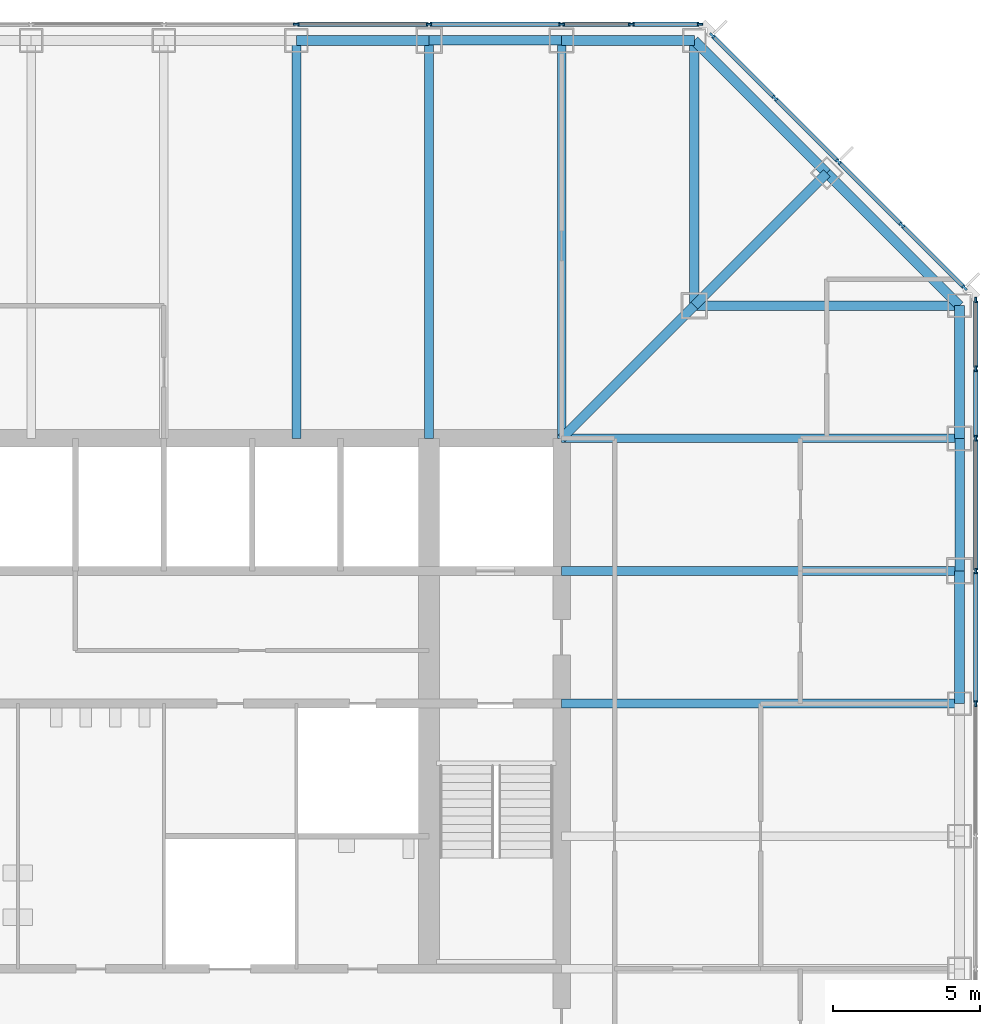
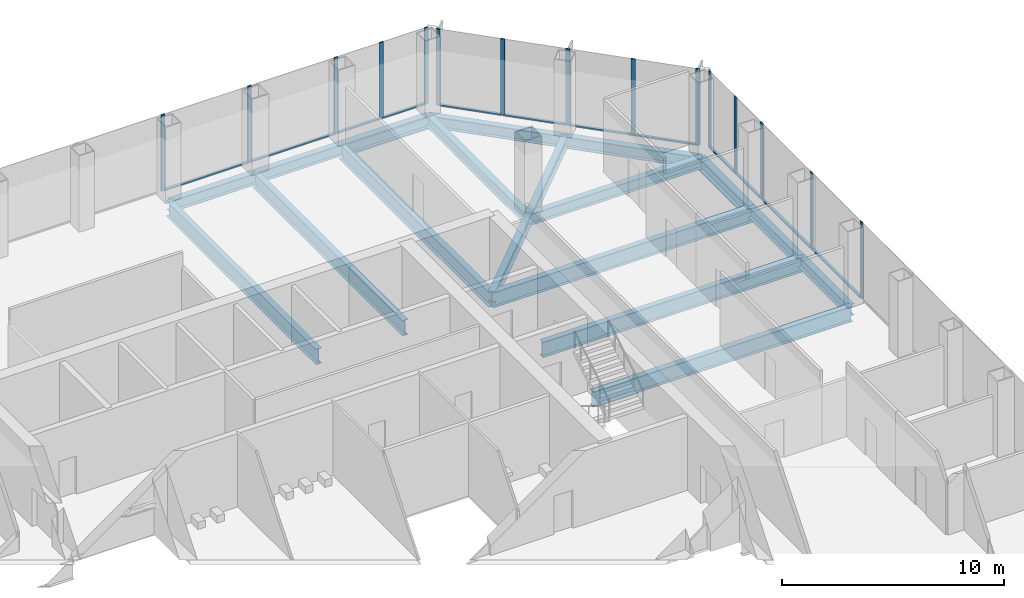
# One storey, part 6 of 12: 27 members, 18 beams, 3 elements without a shape of their own.
"""IFC4 building model written with IfcOpenShell, lengths in metres."""

from ifc_helpers import new_model, si_unit, direction, frame, origin, origin_2d, place, context, subcontext, project, spatial, rectangle, i_section, extrude, material, material_profile, profile_set, type_object, element, aggregate, save


model = new_model("IFC4")

# Units and contexts
model_context = context("Model", 3, precision=1e-05, world=origin(), true_north=direction((0.0, 1.0)))
body_context = subcontext(model_context, "Body", "Model", "MODEL_VIEW")
ifc_project = project(units=[si_unit("LENGTHUNIT", "METRE"), si_unit("AREAUNIT", "SQUARE_METRE"), si_unit("VOLUMEUNIT", "CUBIC_METRE"), si_unit("PLANEANGLEUNIT", "RADIAN"), si_unit("MASSUNIT", "GRAM", prefix="KILO")], contexts=[model_context])

# Site, building, storey
site_placement = place(None, origin())
site = spatial("IfcSite", under=ifc_project, at=site_placement, CompositionType="ELEMENT")
building_placement = place(site_placement, origin())
building = spatial("IfcBuilding", under=site, at=building_placement, Name="Corais Broadcast Tower", CompositionType="ELEMENT")
storey_placement = place(building_placement, frame((0.0, 0.0, 75.199951171875)))
storey = spatial("IfcBuildingStorey", under=building, at=storey_placement, Name="L16", CompositionType="ELEMENT", Elevation=75.199951171875)

# Beams
ifc_material_1 = material(Name="Steel ASTM A572 Grade 50", Category="steel")
ifc_material_profile_1 = material_profile(ifc_material_1, i_section(OverallWidth=0.323974609375, OverallDepth=0.611083984375, WebThickness=0.0126953125, FlangeThickness=0.01904296875, at=origin_2d()), Name="W610x155")
ifc_profile_set_1 = profile_set([ifc_material_profile_1], Name="Steel ASTM A572 Grade 50")
beam_type_1 = type_object("IfcBeamType", Name="Chamfer tie W610x155", PredefinedType="BEAM", material=ifc_profile_set_1)
beam_1_placement = place(storey_placement, frame((49.5, 49.5, -0.46533203125), z_axis=(-0.707106781187, -0.707106781187, 0.0), x_axis=(0.707106781187, -0.707106781187, 0.0)))
element("IfcBeam", 1, at=beam_1_placement, inside=storey, type_object=beam_type_1, Name="B5 M/14 to L/13", PredefinedType="BEAM", context=body_context, shape_type="SweptSolid", body=[
    extrude(i_section(OverallWidth=0.323974609375, OverallDepth=0.611083984375, WebThickness=0.0126953125, FlangeThickness=0.01904296875, at=origin_2d()), origin(), (0.0, 0.0, 1.0), 6.364013671875),
])
ifc_material_2 = material(Name="Steel ASTM A572 Grade 50", Category="steel")
ifc_material_profile_2 = material_profile(ifc_material_2, i_section(OverallWidth=0.323974609375, OverallDepth=0.611083984375, WebThickness=0.0126953125, FlangeThickness=0.01904296875, at=origin_2d()), Name="W610x155")
ifc_profile_set_2 = profile_set([ifc_material_profile_2], Name="Steel ASTM A572 Grade 50")
beam_type_2 = type_object("IfcBeamType", Name="Corner diagonal W610x155", PredefinedType="BEAM", material=ifc_profile_set_2)
beam_2_placement = place(storey_placement, frame((45.0, 45.0, -0.46533203125), z_axis=(-0.707106781187, -0.707106781187, 0.0), x_axis=(0.707106781187, -0.707106781187, 0.0)))
element("IfcBeam", 2, at=beam_2_placement, inside=storey, type_object=beam_type_2, Name="B6 L/13 to K/12", PredefinedType="BEAM", context=body_context, shape_type="SweptSolid", body=[
    extrude(i_section(OverallWidth=0.323974609375, OverallDepth=0.611083984375, WebThickness=0.0126953125, FlangeThickness=0.01904296875, at=origin_2d()), origin(), (0.0, 0.0, 1.0), 6.364013671875),
])
ifc_material_3 = material(Name="Steel ASTM A572 Grade 50", Category="steel")
ifc_material_profile_3 = material_profile(ifc_material_3, i_section(OverallWidth=0.323974609375, OverallDepth=0.611083984375, WebThickness=0.0126953125, FlangeThickness=0.01904296875, at=origin_2d()), Name="W610x155")
ifc_profile_set_3 = profile_set([ifc_material_profile_3], Name="Steel ASTM A572 Grade 50")
beam_type_3 = type_object("IfcBeamType", Name="Corner girder W610x155", PredefinedType="BEAM", material=ifc_profile_set_3)
for number, where, z_axis, x_axis, name in (
    (3, (45.0, 54.0, -0.46533203125), (0.0, -1.0, 0.0), (1.0, 0.0, 0.0), "B4 N/13 to L/13"),
    (4, (54.0, 45.0, -0.46533203125), (-1.0, 0.0, 0.0), (0.0, -1.0, 0.0), "B4 L/15 to L/13"),
):
    element("IfcBeam", number, at=place(storey_placement, frame(where, z_axis=z_axis, x_axis=x_axis)), inside=storey, type_object=beam_type_3, Name=name, PredefinedType="BEAM", context=body_context, shape_type="SweptSolid", body=[
        extrude(i_section(OverallWidth=0.323974609375, OverallDepth=0.611083984375, WebThickness=0.0126953125, FlangeThickness=0.01904296875, at=origin_2d()), origin(), (0.0, 0.0, 1.0), 9.0),
    ])
ifc_material_4 = material(Name="Steel ASTM A913 Grade 65", Category="steel")
ifc_material_profile_4 = material_profile(ifc_material_4, i_section(OverallWidth=0.347900390625, OverallDepth=0.7109375, WebThickness=0.03857421875, FlangeThickness=0.069091796875, at=origin_2d()), Name="W610x551")
ifc_profile_set_4 = profile_set([ifc_material_profile_4], Name="Steel ASTM A913 Grade 65")
beam_type_4 = type_object("IfcBeamType", Name="Corner spandrel W610x551", PredefinedType="BEAM", material=ifc_profile_set_4)
for number, where, z_axis, x_axis, name in (
    (5, (45.0, 54.0, -0.515380859375), (-1.0, 0.0, 0.0), (0.0, -1.0, 0.0), "SB11 N/13 to N/12"),
    (6, (54.0, 40.5, -0.515380859375), (0.0, 1.0, 0.0), (-1.0, 0.0, 0.0), "SB11 K/15 to L/15"),
):
    element("IfcBeam", number, at=place(storey_placement, frame(where, z_axis=z_axis, x_axis=x_axis)), inside=storey, type_object=beam_type_4, Name=name, PredefinedType="BEAM", context=body_context, shape_type="SweptSolid", body=[
        extrude(i_section(OverallWidth=0.347900390625, OverallDepth=0.7109375, WebThickness=0.03857421875, FlangeThickness=0.069091796875, at=origin_2d()), origin(), (0.0, 0.0, 1.0), 4.5),
    ])
ifc_material_5 = material(Name="Steel ASTM A572 Grade 50", Category="steel")
ifc_material_profile_5 = material_profile(ifc_material_5, i_section(OverallWidth=0.2939453125, OverallDepth=0.85107421875, WebThickness=0.01611328125, FlangeThickness=0.02685546875, at=origin_2d()), Name="W840x226")
ifc_profile_set_5 = profile_set([ifc_material_profile_5], Name="Steel ASTM A572 Grade 50")
beam_type_5 = type_object("IfcBeamType", Name="Floor beam W840x226", PredefinedType="BEAM", material=ifc_profile_set_5)
for number, where, z_axis, x_axis, name in (
    (7, (31.5, 54.0, -0.58544921875), (0.0, -1.0, 0.0), (1.0, 0.0, 0.0), "B1 N/10 to K/10"),
    (8, (36.0, 54.0, -0.58544921875), (0.0, -1.0, 0.0), (1.0, 0.0, 0.0), "B1 N/11 to K/11"),
    (9, (40.5, 54.0, -0.58544921875), (0.0, -1.0, 0.0), (1.0, 0.0, 0.0), "B1 N/12 to K/12"),
    (10, (54.0, 31.5, -0.58544921875), (-1.0, 0.0, 0.0), (0.0, -1.0, 0.0), "B1 H/15 to H/12"),
    (11, (54.0, 36.0, -0.58544921875), (-1.0, 0.0, 0.0), (0.0, -1.0, 0.0), "B1 J/15 to J/12"),
    (12, (54.0, 40.5, -0.58544921875), (-1.0, 0.0, 0.0), (0.0, -1.0, 0.0), "B1 K/15 to K/12"),
):
    element("IfcBeam", number, at=place(storey_placement, frame(where, z_axis=z_axis, x_axis=x_axis)), inside=storey, type_object=beam_type_5, Name=name, PredefinedType="BEAM", context=body_context, shape_type="SweptSolid", body=[
        extrude(i_section(OverallWidth=0.2939453125, OverallDepth=0.85107421875, WebThickness=0.01611328125, FlangeThickness=0.02685546875, at=origin_2d()), origin(), (0.0, 0.0, 1.0), 13.5),
    ])

# Curtain wall, members
ifc_material_6 = material(Name="Aluminium and glass", Category="aluminium")
curtain_wall_type = type_object("IfcCurtainWallType", Name="Unitised fritted curtain wall CW1", PredefinedType="NOTDEFINED", material=ifc_material_6)
curtain_wall_1_placement = place(storey_placement, origin())
curtain_wall_1 = element("IfcCurtainWall", 13, at=curtain_wall_1_placement, inside=storey, type_object=curtain_wall_type, Name="CW1 curtain wall L16 4", PredefinedType="NOTDEFINED")
ifc_material_7 = material(Name="Aluminium 6063-T6", Category="aluminium")
ifc_material_profile_6 = material_profile(ifc_material_7, rectangle(XDim=0.06494140625, YDim=0.199951171875, at=origin_2d()), Name="Mullion CW1 65x200")
ifc_profile_set_6 = profile_set([ifc_material_profile_6], Name="Aluminium 6063-T6")
member_type_1 = type_object("IfcMemberType", Name="Mullion CW1 65x200", PredefinedType="MULLION", material=ifc_profile_set_6)
member_1_placement = place(storey_placement, frame((31.5, 54.550048828125, 0.0), z_axis=(0.0, 0.0, 1.0), x_axis=(0.0, 1.0, 0.0)))
member_1 = element("IfcMember", 14, at=member_1_placement, type_object=member_type_1, Name="CW1 mullion 7", PredefinedType="MULLION", context=body_context, shape_type="SweptSolid", body=[
    extrude(rectangle(XDim=0.06494140625, YDim=0.199951171875, at=origin_2d()), origin(), (0.0, 0.0, 1.0), 4.199951171875),
])
member_2_placement = place(storey_placement, frame((36.0, 54.550048828125, 0.0), z_axis=(0.0, 0.0, 1.0), x_axis=(0.0, 1.0, 0.0)))
member_2 = element("IfcMember", 15, at=member_2_placement, type_object=member_type_1, Name="CW1 mullion 8", PredefinedType="MULLION", context=body_context, shape_type="SweptSolid", body=[
    extrude(rectangle(XDim=0.06494140625, YDim=0.199951171875, at=origin_2d()), origin(), (0.0, 0.0, 1.0), 4.199951171875),
])
member_3_placement = place(storey_placement, frame((40.5, 54.550048828125, 0.0), z_axis=(0.0, 0.0, 1.0), x_axis=(0.0, 1.0, 0.0)))
member_3 = element("IfcMember", 16, at=member_3_placement, type_object=member_type_1, Name="CW1 mullion 9", PredefinedType="MULLION", context=body_context, shape_type="SweptSolid", body=[
    extrude(rectangle(XDim=0.06494140625, YDim=0.199951171875, at=origin_2d()), origin(), (0.0, 0.0, 1.0), 4.199951171875),
])
member_4_placement = place(storey_placement, frame((42.864013671875, 54.550048828125, 0.0), z_axis=(0.0, 0.0, 1.0), x_axis=(0.0, 1.0, 0.0)))
member_4 = element("IfcMember", 17, at=member_4_placement, type_object=member_type_1, Name="CW1 mullion 10", PredefinedType="MULLION", context=body_context, shape_type="SweptSolid", body=[
    extrude(rectangle(XDim=0.06494140625, YDim=0.199951171875, at=origin_2d()), origin(), (0.0, 0.0, 1.0), 4.199951171875),
])
member_5_placement = place(storey_placement, frame((45.1953125, 54.550048828125, 0.0), z_axis=(0.0, 0.0, 1.0), x_axis=(0.0, 1.0, 0.0)))
member_5 = element("IfcMember", 18, at=member_5_placement, type_object=member_type_1, Name="CW1 mullion 11", PredefinedType="MULLION", context=body_context, shape_type="SweptSolid", body=[
    extrude(rectangle(XDim=0.06494140625, YDim=0.199951171875, at=origin_2d()), origin(), (0.0, 0.0, 1.0), 4.199951171875),
])

curtain_wall_2_placement = place(storey_placement, origin())
curtain_wall_2 = element("IfcCurtainWall", 19, at=curtain_wall_2_placement, inside=storey, type_object=curtain_wall_type, Name="CW1 curtain wall L16 5", PredefinedType="NOTDEFINED")
member_6_placement = place(storey_placement, frame((45.6044921875, 54.17333984375, 0.0), z_axis=(0.0, 0.0, 1.0), x_axis=(0.707106781187, 0.707106781187, 0.0)))
member_6 = element("IfcMember", 20, at=member_6_placement, type_object=member_type_1, Name="CW1 mullion 1", PredefinedType="MULLION", context=body_context, shape_type="SweptSolid", body=[
    extrude(rectangle(XDim=0.06494140625, YDim=0.199951171875, at=origin_2d()), origin(), (0.0, 0.0, 1.0), 4.199951171875),
])
member_7_placement = place(storey_placement, frame((47.735107421875, 52.042724609375, 0.0), z_axis=(0.0, 0.0, 1.0), x_axis=(0.707106781187, 0.707106781187, 0.0)))
member_7 = element("IfcMember", 21, at=member_7_placement, type_object=member_type_1, Name="CW1 mullion 2", PredefinedType="MULLION", context=body_context, shape_type="SweptSolid", body=[
    extrude(rectangle(XDim=0.06494140625, YDim=0.199951171875, at=origin_2d()), origin(), (0.0, 0.0, 1.0), 4.199951171875),
])
member_8_placement = place(storey_placement, frame((49.888916015625, 49.888916015625, 0.0), z_axis=(0.0, 0.0, 1.0), x_axis=(0.707106781187, 0.707106781187, 0.0)))
member_8 = element("IfcMember", 22, at=member_8_placement, type_object=member_type_1, Name="CW1 mullion 3", PredefinedType="MULLION", context=body_context, shape_type="SweptSolid", body=[
    extrude(rectangle(XDim=0.06494140625, YDim=0.199951171875, at=origin_2d()), origin(), (0.0, 0.0, 1.0), 4.199951171875),
])
member_9_placement = place(storey_placement, frame((52.042724609375, 47.735107421875, 0.0), z_axis=(0.0, 0.0, 1.0), x_axis=(0.707106781187, 0.707106781187, 0.0)))
member_9 = element("IfcMember", 23, at=member_9_placement, type_object=member_type_1, Name="CW1 mullion 4", PredefinedType="MULLION", context=body_context, shape_type="SweptSolid", body=[
    extrude(rectangle(XDim=0.06494140625, YDim=0.199951171875, at=origin_2d()), origin(), (0.0, 0.0, 1.0), 4.199951171875),
])
member_10_placement = place(storey_placement, frame((54.17333984375, 45.6044921875, 0.0), z_axis=(0.0, 0.0, 1.0), x_axis=(0.707106781187, 0.707106781187, 0.0)))
member_10 = element("IfcMember", 24, at=member_10_placement, type_object=member_type_1, Name="CW1 mullion 5", PredefinedType="MULLION", context=body_context, shape_type="SweptSolid", body=[
    extrude(rectangle(XDim=0.06494140625, YDim=0.199951171875, at=origin_2d()), origin(), (0.0, 0.0, 1.0), 4.199951171875),
])

curtain_wall_3_placement = place(storey_placement, origin())
curtain_wall_3 = element("IfcCurtainWall", 25, at=curtain_wall_3_placement, inside=storey, type_object=curtain_wall_type, Name="CW1 curtain wall L16 6", PredefinedType="NOTDEFINED")
member_11_placement = place(storey_placement, frame((54.550048828125, 45.1953125, 0.0), z_axis=(0.0, 0.0, 1.0), x_axis=(1.0, 0.0, 0.0)))
member_11 = element("IfcMember", 26, at=member_11_placement, type_object=member_type_1, Name="CW1 mullion 1", PredefinedType="MULLION", context=body_context, shape_type="SweptSolid", body=[
    extrude(rectangle(XDim=0.06494140625, YDim=0.199951171875, at=origin_2d()), origin(), (0.0, 0.0, 1.0), 4.199951171875),
])
member_12_placement = place(storey_placement, frame((54.550048828125, 42.864013671875, 0.0), z_axis=(0.0, 0.0, 1.0), x_axis=(1.0, 0.0, 0.0)))
member_12 = element("IfcMember", 27, at=member_12_placement, type_object=member_type_1, Name="CW1 mullion 2", PredefinedType="MULLION", context=body_context, shape_type="SweptSolid", body=[
    extrude(rectangle(XDim=0.06494140625, YDim=0.199951171875, at=origin_2d()), origin(), (0.0, 0.0, 1.0), 4.199951171875),
])
member_13_placement = place(storey_placement, frame((54.550048828125, 40.5, 0.0), z_axis=(0.0, 0.0, 1.0), x_axis=(1.0, 0.0, 0.0)))
member_13 = element("IfcMember", 28, at=member_13_placement, type_object=member_type_1, Name="CW1 mullion 3", PredefinedType="MULLION", context=body_context, shape_type="SweptSolid", body=[
    extrude(rectangle(XDim=0.06494140625, YDim=0.199951171875, at=origin_2d()), origin(), (0.0, 0.0, 1.0), 4.199951171875),
])
member_14_placement = place(storey_placement, frame((54.550048828125, 36.0, 0.0), z_axis=(0.0, 0.0, 1.0), x_axis=(1.0, 0.0, 0.0)))
member_14 = element("IfcMember", 29, at=member_14_placement, type_object=member_type_1, Name="CW1 mullion 4", PredefinedType="MULLION", context=body_context, shape_type="SweptSolid", body=[
    extrude(rectangle(XDim=0.06494140625, YDim=0.199951171875, at=origin_2d()), origin(), (0.0, 0.0, 1.0), 4.199951171875),
])
member_15_placement = place(storey_placement, frame((54.550048828125, 31.5, 0.0), z_axis=(0.0, 0.0, 1.0), x_axis=(1.0, 0.0, 0.0)))
member_15 = element("IfcMember", 30, at=member_15_placement, type_object=member_type_1, Name="CW1 mullion 5", PredefinedType="MULLION", context=body_context, shape_type="SweptSolid", body=[
    extrude(rectangle(XDim=0.06494140625, YDim=0.199951171875, at=origin_2d()), origin(), (0.0, 0.0, 1.0), 4.199951171875),
])

# Beams
ifc_material_8 = material(Name="Steel ASTM A572 Grade 50", Category="steel")
ifc_material_profile_7 = material_profile(ifc_material_8, i_section(OverallWidth=0.323974609375, OverallDepth=0.611083984375, WebThickness=0.0126953125, FlangeThickness=0.01904296875, at=origin_2d()), Name="W610x155")
ifc_profile_set_7 = profile_set([ifc_material_profile_7], Name="Steel ASTM A572 Grade 50")
beam_type_6 = type_object("IfcBeamType", Name="Pinned spandrel W610x155", PredefinedType="BEAM", material=ifc_profile_set_7)
for number, where, z_axis, x_axis, name in (
    (31, (40.5, 54.0, -0.46533203125), (-1.0, 0.0, 0.0), (0.0, -1.0, 0.0), "SB6 N/12 to N/11"),
    (32, (54.0, 36.0, -0.46533203125), (0.0, 1.0, 0.0), (-1.0, 0.0, 0.0), "SB6 J/15 to K/15"),
):
    element("IfcBeam", number, at=place(storey_placement, frame(where, z_axis=z_axis, x_axis=x_axis)), inside=storey, type_object=beam_type_6, Name=name, PredefinedType="BEAM", context=body_context, shape_type="SweptSolid", body=[
        extrude(i_section(OverallWidth=0.323974609375, OverallDepth=0.611083984375, WebThickness=0.0126953125, FlangeThickness=0.01904296875, at=origin_2d()), origin(), (0.0, 0.0, 1.0), 4.5),
    ])
ifc_material_9 = material(Name="Steel ASTM A572 Grade 50", Category="steel")
ifc_material_profile_8 = material_profile(ifc_material_9, i_section(OverallWidth=0.3291015625, OverallDepth=0.635009765625, WebThickness=0.017822265625, FlangeThickness=0.031005859375, at=origin_2d()), Name="W610x241")
ifc_profile_set_8 = profile_set([ifc_material_profile_8], Name="Steel ASTM A572 Grade 50")
beam_type_7 = type_object("IfcBeamType", Name="Spandrel W610x241", PredefinedType="BEAM", material=ifc_profile_set_8)
beam_3_placement = place(storey_placement, frame((36.0, 54.0, -0.4775390625), z_axis=(-1.0, 0.0, 0.0), x_axis=(0.0, -1.0, 0.0)))
element("IfcBeam", 33, at=beam_3_placement, inside=storey, type_object=beam_type_7, Name="SB1 N/11 to N/10", PredefinedType="BEAM", context=body_context, shape_type="SweptSolid", body=[
    extrude(i_section(OverallWidth=0.3291015625, OverallDepth=0.635009765625, WebThickness=0.017822265625, FlangeThickness=0.031005859375, at=origin_2d()), origin(), (0.0, 0.0, 1.0), 4.5),
])
beam_4_placement = place(storey_placement, frame((49.5, 49.5, -0.4775390625), z_axis=(-0.707106781187, 0.707106781187, 0.0), x_axis=(-0.707106781187, -0.707106781187, 0.0)))
element("IfcBeam", 34, at=beam_4_placement, inside=storey, type_object=beam_type_7, Name="SB1 M/14 to N/13", PredefinedType="BEAM", context=body_context, shape_type="SweptSolid", body=[
    extrude(i_section(OverallWidth=0.3291015625, OverallDepth=0.635009765625, WebThickness=0.017822265625, FlangeThickness=0.031005859375, at=origin_2d()), origin(), (0.0, 0.0, 1.0), 6.364013671875),
])
beam_5_placement = place(storey_placement, frame((54.0, 31.5, -0.4775390625), z_axis=(0.0, 1.0, 0.0), x_axis=(-1.0, 0.0, 0.0)))
element("IfcBeam", 35, at=beam_5_placement, inside=storey, type_object=beam_type_7, Name="SB1 H/15 to J/15", PredefinedType="BEAM", context=body_context, shape_type="SweptSolid", body=[
    extrude(i_section(OverallWidth=0.3291015625, OverallDepth=0.635009765625, WebThickness=0.017822265625, FlangeThickness=0.031005859375, at=origin_2d()), origin(), (0.0, 0.0, 1.0), 4.5),
])
beam_6_placement = place(storey_placement, frame((54.0, 45.0, -0.4775390625), z_axis=(-0.707106781187, 0.707106781187, 0.0), x_axis=(-0.707106781187, -0.707106781187, 0.0)))
element("IfcBeam", 36, at=beam_6_placement, inside=storey, type_object=beam_type_7, Name="SB1 L/15 to M/14", PredefinedType="BEAM", context=body_context, shape_type="SweptSolid", body=[
    extrude(i_section(OverallWidth=0.3291015625, OverallDepth=0.635009765625, WebThickness=0.017822265625, FlangeThickness=0.031005859375, at=origin_2d()), origin(), (0.0, 0.0, 1.0), 6.364013671875),
])

# Member
ifc_material_10 = material(Name="Aluminium 6063-T6", Category="aluminium")
ifc_material_profile_9 = material_profile(ifc_material_10, rectangle(XDim=0.139892578125, YDim=0.06494140625, at=origin_2d()), Name="Transom CW1 65x140")
ifc_profile_set_9 = profile_set([ifc_material_profile_9], Name="Aluminium 6063-T6")
member_type_2 = type_object("IfcMemberType", Name="Transom CW1 65x140", PredefinedType="USERDEFINED", material=ifc_profile_set_9)
member_16_placement = place(storey_placement, frame((31.532470703125, 54.550048828125, 0.032470703125), z_axis=(1.0, 0.0, 0.0), x_axis=(0.0, 1.0, 0.0)))
member_16 = element("IfcMember", 37, at=member_16_placement, type_object=member_type_2, Name="CW1 transom 7.1", ObjectType="TRANSOM", PredefinedType="USERDEFINED", context=body_context, shape_type="SweptSolid", body=[
    extrude(rectangle(XDim=0.139892578125, YDim=0.06494140625, at=origin_2d()), origin(), (0.0, 0.0, 1.0), 4.43505859375),
])

member_17_placement = place(storey_placement, frame((36.032470703125, 54.550048828125, 0.032470703125), z_axis=(1.0, 0.0, 0.0), x_axis=(0.0, 1.0, 0.0)))
member_17 = element("IfcMember", 38, at=member_17_placement, type_object=member_type_2, Name="CW1 transom 8.1", ObjectType="TRANSOM", PredefinedType="USERDEFINED", context=body_context, shape_type="SweptSolid", body=[
    extrude(rectangle(XDim=0.139892578125, YDim=0.06494140625, at=origin_2d()), origin(), (0.0, 0.0, 1.0), 4.43505859375),
])

member_18_placement = place(storey_placement, frame((40.532470703125, 54.550048828125, 0.032470703125), z_axis=(1.0, 0.0, 0.0), x_axis=(0.0, 1.0, 0.0)))
member_18 = element("IfcMember", 39, at=member_18_placement, type_object=member_type_2, Name="CW1 transom 9.1", ObjectType="TRANSOM", PredefinedType="USERDEFINED", context=body_context, shape_type="SweptSolid", body=[
    extrude(rectangle(XDim=0.139892578125, YDim=0.06494140625, at=origin_2d()), origin(), (0.0, 0.0, 1.0), 2.298828125),
])

member_19_placement = place(storey_placement, frame((42.896484375, 54.550048828125, 0.032470703125), z_axis=(1.0, 0.0, 0.0), x_axis=(0.0, 1.0, 0.0)))
member_19 = element("IfcMember", 40, at=member_19_placement, type_object=member_type_2, Name="CW1 transom 10.1", ObjectType="TRANSOM", PredefinedType="USERDEFINED", context=body_context, shape_type="SweptSolid", body=[
    extrude(rectangle(XDim=0.139892578125, YDim=0.06494140625, at=origin_2d()), origin(), (0.0, 0.0, 1.0), 2.266357421875),
])

aggregate(curtain_wall_1, [member_1, member_2, member_3, member_4, member_5, member_16, member_17, member_18, member_19])

member_20_placement = place(storey_placement, frame((45.62744140625, 54.150390625, 0.032470703125), z_axis=(0.707106781187, -0.707106781187, 0.0), x_axis=(0.707106781187, 0.707106781187, 0.0)))
member_20 = element("IfcMember", 41, at=member_20_placement, type_object=member_type_2, Name="CW1 transom 1.1", ObjectType="TRANSOM", PredefinedType="USERDEFINED", context=body_context, shape_type="SweptSolid", body=[
    extrude(rectangle(XDim=0.139892578125, YDim=0.06494140625, at=origin_2d()), origin(), (0.0, 0.0, 1.0), 2.9482421875),
])

member_21_placement = place(storey_placement, frame((47.758056640625, 52.019775390625, 0.032470703125), z_axis=(0.707106781187, -0.707106781187, 0.0), x_axis=(0.707106781187, 0.707106781187, 0.0)))
member_21 = element("IfcMember", 42, at=member_21_placement, type_object=member_type_2, Name="CW1 transom 2.1", ObjectType="TRANSOM", PredefinedType="USERDEFINED", context=body_context, shape_type="SweptSolid", body=[
    extrude(rectangle(XDim=0.139892578125, YDim=0.06494140625, at=origin_2d()), origin(), (0.0, 0.0, 1.0), 2.98095703125),
])

member_22_placement = place(storey_placement, frame((49.911865234375, 49.865966796875, 0.032470703125), z_axis=(0.707106781187, -0.707106781187, 0.0), x_axis=(0.707106781187, 0.707106781187, 0.0)))
member_22 = element("IfcMember", 43, at=member_22_placement, type_object=member_type_2, Name="CW1 transom 3.1", ObjectType="TRANSOM", PredefinedType="USERDEFINED", context=body_context, shape_type="SweptSolid", body=[
    extrude(rectangle(XDim=0.139892578125, YDim=0.06494140625, at=origin_2d()), origin(), (0.0, 0.0, 1.0), 2.98095703125),
])

member_23_placement = place(storey_placement, frame((52.065673828125, 47.712158203125, 0.032470703125), z_axis=(0.707106781187, -0.707106781187, 0.0), x_axis=(0.707106781187, 0.707106781187, 0.0)))
member_23 = element("IfcMember", 44, at=member_23_placement, type_object=member_type_2, Name="CW1 transom 4.1", ObjectType="TRANSOM", PredefinedType="USERDEFINED", context=body_context, shape_type="SweptSolid", body=[
    extrude(rectangle(XDim=0.139892578125, YDim=0.06494140625, at=origin_2d()), origin(), (0.0, 0.0, 1.0), 2.9482421875),
])

aggregate(curtain_wall_2, [member_6, member_7, member_8, member_9, member_10, member_20, member_21, member_22, member_23])

member_24_placement = place(storey_placement, frame((54.550048828125, 45.162841796875, 0.032470703125), z_axis=(0.0, -1.0, 0.0), x_axis=(1.0, 0.0, 0.0)))
member_24 = element("IfcMember", 45, at=member_24_placement, type_object=member_type_2, Name="CW1 transom 1.1", ObjectType="TRANSOM", PredefinedType="USERDEFINED", context=body_context, shape_type="SweptSolid", body=[
    extrude(rectangle(XDim=0.139892578125, YDim=0.06494140625, at=origin_2d()), origin(), (0.0, 0.0, 1.0), 2.266357421875),
])

member_25_placement = place(storey_placement, frame((54.550048828125, 42.831298828125, 0.032470703125), z_axis=(0.0, -1.0, 0.0), x_axis=(1.0, 0.0, 0.0)))
member_25 = element("IfcMember", 46, at=member_25_placement, type_object=member_type_2, Name="CW1 transom 2.1", ObjectType="TRANSOM", PredefinedType="USERDEFINED", context=body_context, shape_type="SweptSolid", body=[
    extrude(rectangle(XDim=0.139892578125, YDim=0.06494140625, at=origin_2d()), origin(), (0.0, 0.0, 1.0), 2.298828125),
])

member_26_placement = place(storey_placement, frame((54.550048828125, 40.467529296875, 0.032470703125), z_axis=(0.0, -1.0, 0.0), x_axis=(1.0, 0.0, 0.0)))
member_26 = element("IfcMember", 47, at=member_26_placement, type_object=member_type_2, Name="CW1 transom 3.1", ObjectType="TRANSOM", PredefinedType="USERDEFINED", context=body_context, shape_type="SweptSolid", body=[
    extrude(rectangle(XDim=0.139892578125, YDim=0.06494140625, at=origin_2d()), origin(), (0.0, 0.0, 1.0), 4.43505859375),
])

member_27_placement = place(storey_placement, frame((54.550048828125, 35.967529296875, 0.032470703125), z_axis=(0.0, -1.0, 0.0), x_axis=(1.0, 0.0, 0.0)))
member_27 = element("IfcMember", 48, at=member_27_placement, type_object=member_type_2, Name="CW1 transom 4.1", ObjectType="TRANSOM", PredefinedType="USERDEFINED", context=body_context, shape_type="SweptSolid", body=[
    extrude(rectangle(XDim=0.139892578125, YDim=0.06494140625, at=origin_2d()), origin(), (0.0, 0.0, 1.0), 4.43505859375),
])

aggregate(curtain_wall_3, [member_11, member_12, member_13, member_14, member_15, member_24, member_25, member_26, member_27])

save(model, "model.ifc")
